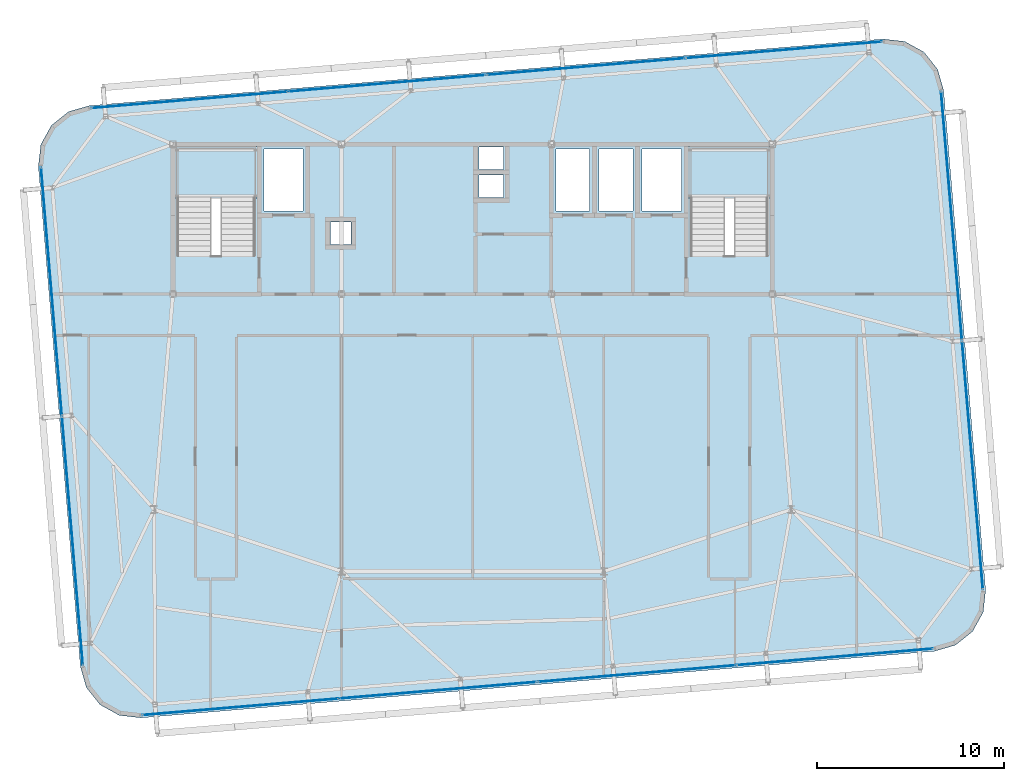
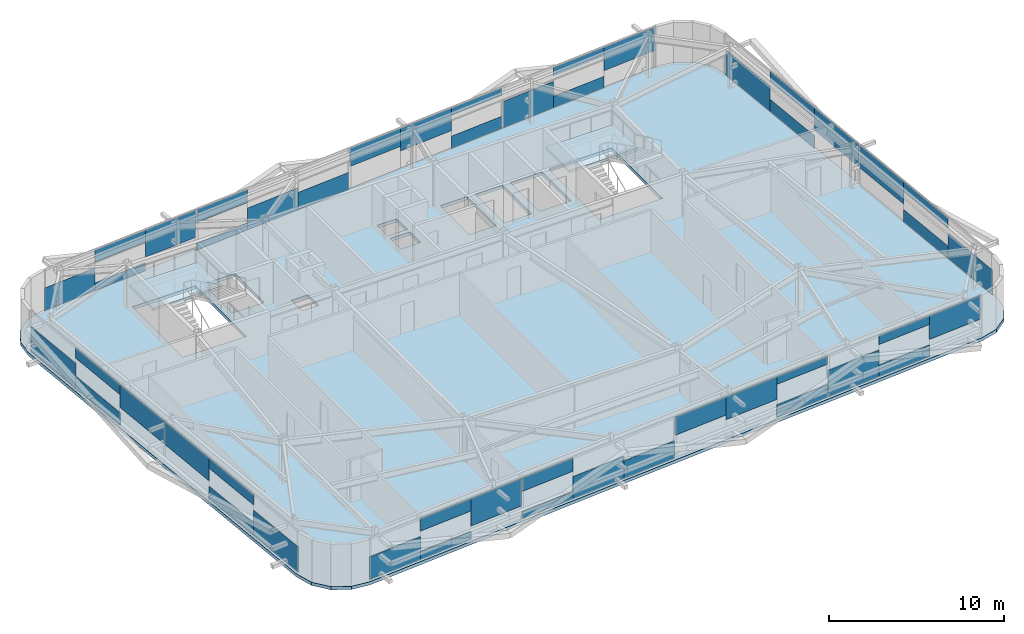
# One storey, part 26 of 39: 48 plates, 3 slabs, 6 elements without a shape of their own.
"""IFC4 building model written with IfcOpenShell, lengths in metres."""

from ifc_helpers import new_model, si_unit, direction, frame, origin, origin_2d, place, context, subcontext, project, spatial, polyline, rectangle, outline, extrude, source, transform, mapped, material, layer, layer_set, type_object, element, aggregate, save


model = new_model("IFC4")

# Units and contexts
model_context = context("Model", 3, precision=1e-05, world=origin(), true_north=direction((0.0, 1.0)))
body_context = subcontext(model_context, "Body", "Model", "MODEL_VIEW")
ifc_project = project(units=[si_unit("LENGTHUNIT", "METRE"), si_unit("AREAUNIT", "SQUARE_METRE"), si_unit("VOLUMEUNIT", "CUBIC_METRE"), si_unit("PLANEANGLEUNIT", "RADIAN"), si_unit("MASSUNIT", "GRAM", prefix="KILO")], contexts=[model_context])

# Site, building, storey
site_placement = place(None, origin())
site = spatial("IfcSite", under=ifc_project, at=site_placement, CompositionType="ELEMENT")
building_placement = place(site_placement, origin())
building = spatial("IfcBuilding", under=site, at=building_placement, Name="Taldren Reach Tower", CompositionType="ELEMENT")
storey_placement = place(building_placement, frame((0.0, 0.0, 175.699951171875)))
storey = spatial("IfcBuildingStorey", under=building, at=storey_placement, Name="L53", CompositionType="ELEMENT", Elevation=175.699951171875)

# Slab
ifc_material_1 = material(Name="Concrete N40 (40 MPa)", Category="concrete")
ifc_layer_1 = layer(ifc_material_1, 0.219970703125)
ifc_layer_set_1 = layer_set([ifc_layer_1], Name="Concrete N40 (40 MPa)")
slab_type_1 = type_object("IfcSlabType", Name="SL-FLR-220", PredefinedType="FLOOR", material=ifc_layer_set_1)
slab_1_placement = place(storey_placement, frame((0.0, 0.0, -0.219970703125)))
element("IfcSlab", 1, at=slab_1_placement, inside=storey, type_object=slab_type_1, Name="Suspended floor slab L53", PredefinedType="FLOOR", context=body_context, shape_type="SweptSolid", body=[
    extrude(outline(polyline([(59.647705078125, 4.935791015625), (60.772705078125, 5.25927734375), (61.688232421875, 5.98876953125), (62.254638671875, 7.012939453125), (62.38623046875, 8.17626953125), (60.1435546875, 34.882080078125), (59.820068359375, 36.007080078125), (59.090576171875, 36.922607421875), (58.06640625, 37.4892578125), (56.903076171875, 37.62060546875), (14.55224609375, 34.064208984375), (13.42724609375, 33.74072265625), (12.511962890625, 33.01123046875), (11.9453125, 31.987060546875), (11.813720703125, 30.82373046875), (14.056396484375, 4.117919921875), (14.3798828125, 2.992919921875), (15.109375, 2.077392578125), (16.1337890625, 1.5107421875), (17.296875, 1.37939453125), (59.647705078125, 4.935791015625)]), holes=[polyline([(19.219970703125, 26.050048828125), (23.3798828125, 26.050048828125), (23.3798828125, 31.820068359375), (19.219970703125, 31.820068359375), (19.219970703125, 26.050048828125)]), polyline([(46.6201171875, 26.050048828125), (50.780029296875, 26.050048828125), (50.780029296875, 31.820068359375), (46.6201171875, 31.820068359375), (46.6201171875, 26.050048828125)]), polyline([(23.85009765625, 28.449951171875), (25.949951171875, 28.449951171875), (25.949951171875, 31.75), (23.85009765625, 31.75), (23.85009765625, 28.449951171875)]), polyline([(44.050048828125, 28.449951171875), (46.14990234375, 28.449951171875), (46.14990234375, 31.75), (44.050048828125, 31.75), (44.050048828125, 28.449951171875)]), polyline([(39.449951171875, 28.449951171875), (41.25, 28.449951171875), (41.25, 31.75), (39.449951171875, 31.75), (39.449951171875, 28.449951171875)]), polyline([(41.75, 28.449951171875), (43.550048828125, 28.449951171875), (43.550048828125, 31.75), (41.75, 31.75), (41.75, 28.449951171875)]), polyline([(35.35009765625, 30.64990234375), (36.64990234375, 30.64990234375), (36.64990234375, 31.85009765625), (35.35009765625, 31.85009765625), (35.35009765625, 30.64990234375)]), polyline([(35.35009765625, 29.14990234375), (36.64990234375, 29.14990234375), (36.64990234375, 30.35009765625), (35.35009765625, 30.35009765625), (35.35009765625, 29.14990234375)]), polyline([(27.39990234375, 26.64990234375), (28.5, 26.64990234375), (28.5, 27.85009765625), (27.39990234375, 27.85009765625), (27.39990234375, 26.64990234375)])]), origin(), (0.0, 0.0, 1.0), 0.219970703125),
])

# Stair, slab
ifc_material_2 = material(Name="Concrete S50 (50 MPa)", Category="concrete")
stair_type = type_object("IfcStairType", Name="ST-HT-315", PredefinedType="HALF_TURN_STAIR", material=ifc_material_2)
stair_1_placement = place(storey_placement, origin())
stair_1 = element("IfcStair", 2, at=stair_1_placement, inside=storey, type_object=stair_type, Name="Fire-isolated exit stair ST1 L53", PredefinedType="HALF_TURN_STAIR")
ifc_layer_2 = layer(ifc_material_2, 0.179931640625)
ifc_layer_set_2 = layer_set([ifc_layer_2], Name="Concrete S50 (50 MPa)")
slab_type_2 = type_object("IfcSlabType", Name="SL-LAND-180", PredefinedType="LANDING", material=ifc_layer_set_2)
slab_2_placement = place(storey_placement, frame((0.0, 0.0, 1.39501953125)))
slab_2 = element("IfcSlab", 3, at=slab_2_placement, type_object=slab_type_2, Name="ST1 landing 1", PredefinedType="LANDING", context=body_context, shape_type="SweptSolid", body=[
    extrude(outline(polyline([(19.0400390625, 29.135009765625), (23.56005859375, 29.135009765625), (23.56005859375, 31.8701171875), (19.0400390625, 31.8701171875), (19.0400390625, 29.135009765625)])), origin(), (0.0, 0.0, 1.0), 0.179931640625),
])
aggregate(stair_1, [slab_2])

stair_2_placement = place(storey_placement, origin())
stair_2 = element("IfcStair", 4, at=stair_2_placement, inside=storey, type_object=stair_type, Name="Fire-isolated exit stair ST2 L53", PredefinedType="HALF_TURN_STAIR")
slab_3_placement = place(storey_placement, frame((0.0, 0.0, 1.39501953125)))
slab_3 = element("IfcSlab", 5, at=slab_3_placement, type_object=slab_type_2, Name="ST2 landing 1", PredefinedType="LANDING", context=body_context, shape_type="SweptSolid", body=[
    extrude(outline(polyline([(46.43994140625, 29.135009765625), (50.9599609375, 29.135009765625), (50.9599609375, 31.8701171875), (46.43994140625, 31.8701171875), (46.43994140625, 29.135009765625)])), origin(), (0.0, 0.0, 1.0), 0.179931640625),
])
aggregate(stair_2, [slab_3])

# Curtain wall, plate
ifc_material_3 = material(Name="Aluminium and Low-E Glass Unitised System", Category="aluminium")
ifc_layer_3 = layer(ifc_material_3, 0.159912109375)
ifc_layer_set_3 = layer_set([ifc_layer_3], Name="Aluminium and Low-E Glass Unitised System")
curtain_wall_type = type_object("IfcCurtainWallType", Name="CW-SYS-5", PredefinedType="NOTDEFINED", material=ifc_layer_set_3)
curtain_wall_1_placement = place(storey_placement, origin())
curtain_wall_1 = element("IfcCurtainWall", 6, at=curtain_wall_1_placement, inside=storey, type_object=curtain_wall_type, Name="Unitised curtain wall CW-L53-S", PredefinedType="NOTDEFINED")
ifc_material_4 = material(Name="Acoustic Triple-Laminated IGU", Category="glass")
ifc_layer_4 = layer(ifc_material_4, 0.035888671875)
ifc_layer_set_4 = layer_set([ifc_layer_4], Name="Acoustic Triple-Laminated IGU")
plate_type = type_object("IfcPlateType", Name="CW-PNL-IGU36", PredefinedType="CURTAIN_PANEL", material=ifc_layer_set_4)
shared_shape_1 = source(origin(), body_context, "Body", "SweptSolid", [
    extrude(rectangle(XDim=3.506591796875, YDim=0.035888671875, at=origin_2d()), origin(), (0.0, 0.0, 1.0), 1.63232421875),
])
plate_1_placement = place(storey_placement, frame((57.819091796875, 4.922607421875, 1.23779296875), z_axis=(0.0, 0.0, 1.0), x_axis=(0.996492854922, 0.083677894865, 0.0)))
plate_1 = element("IfcPlate", 7, at=plate_1_placement, type_object=plate_type, Name="CW-5 panel 4.1 part 4", PredefinedType="CURTAIN_PANEL", context=body_context, shape_type="MappedRepresentation", body=[
    mapped(shared_shape_1, transform((0.0, 0.0, 0.0), scale=1.0)),
])

curtain_wall_2_placement = place(storey_placement, origin())
curtain_wall_2 = element("IfcCurtainWall", 8, at=curtain_wall_2_placement, inside=storey, type_object=curtain_wall_type, Name="Unitised curtain wall CW-L53-N", PredefinedType="NOTDEFINED")
plate_2_placement = place(storey_placement, frame((55.097900390625, 37.32861328125, 1.23779296875), z_axis=(0.0, 0.0, 1.0), x_axis=(-0.99649285657, -0.083677875247, 0.0)))
plate_2 = element("IfcPlate", 9, at=plate_2_placement, type_object=plate_type, Name="CW-5 panel 1.1 part 1", PredefinedType="CURTAIN_PANEL", context=body_context, shape_type="MappedRepresentation", body=[
    mapped(shared_shape_1, transform((0.0, 0.0, 0.0), scale=1.0)),
])

# Plate
shared_shape_2 = source(origin(), body_context, "Body", "SweptSolid", [
    extrude(rectangle(XDim=3.506591796875, YDim=0.035888671875, at=origin_2d()), origin(), (0.0, 0.0, 1.0), 0.7919921875),
])
plate_3_placement = place(storey_placement, frame((54.32470703125, 4.629150390625, 0.06005859375), z_axis=(0.0, 0.0, 1.0), x_axis=(0.996492854922, 0.083677894865, 0.0)))
plate_3 = element("IfcPlate", 10, at=plate_3_placement, type_object=plate_type, Name="CW-5 panel 4.1 part 2", PredefinedType="CURTAIN_PANEL", context=body_context, shape_type="MappedRepresentation", body=[
    mapped(shared_shape_2, transform((0.0, 0.0, 0.0), scale=1.0)),
])

plate_4_placement = place(storey_placement, frame((51.603515625, 37.03515625, 0.06005859375), z_axis=(0.0, 0.0, 1.0), x_axis=(-0.99649285657, -0.083677875247, 0.0)))
plate_4 = element("IfcPlate", 11, at=plate_4_placement, type_object=plate_type, Name="CW-5 panel 1.1 part 2", PredefinedType="CURTAIN_PANEL", context=body_context, shape_type="MappedRepresentation", body=[
    mapped(shared_shape_2, transform((0.0, 0.0, 0.0), scale=1.0)),
])

shared_shape_3 = source(origin(), body_context, "Body", "SweptSolid", [
    extrude(rectangle(XDim=3.506591796875, YDim=0.035888671875, at=origin_2d()), origin(), (0.0, 0.0, 1.0), 0.590576171875),
])
plate_5_placement = place(storey_placement, frame((54.32470703125, 4.629150390625, 2.279296875), z_axis=(0.0, 0.0, 1.0), x_axis=(0.996492854922, 0.083677894865, 0.0)))
plate_5 = element("IfcPlate", 12, at=plate_5_placement, type_object=plate_type, Name="CW-5 panel 4.1 part 3", PredefinedType="CURTAIN_PANEL", context=body_context, shape_type="MappedRepresentation", body=[
    mapped(shared_shape_3, transform((0.0, 0.0, 0.0), scale=1.0)),
])

plate_6_placement = place(storey_placement, frame((51.603515625, 37.03515625, 2.279296875), z_axis=(0.0, 0.0, 1.0), x_axis=(-0.99649285657, -0.083677875247, 0.0)))
plate_6 = element("IfcPlate", 13, at=plate_6_placement, type_object=plate_type, Name="CW-5 panel 1.1 part 3", PredefinedType="CURTAIN_PANEL", context=body_context, shape_type="MappedRepresentation", body=[
    mapped(shared_shape_3, transform((0.0, 0.0, 0.0), scale=1.0)),
])

shared_shape_4 = source(origin(), body_context, "Body", "SweptSolid", [
    extrude(rectangle(XDim=3.506591796875, YDim=0.035888671875, at=origin_2d()), origin(), (0.0, 0.0, 1.0), 1.833740234375),
])
plate_7_placement = place(storey_placement, frame((50.830322265625, 4.335693359375, 0.06005859375), z_axis=(0.0, 0.0, 1.0), x_axis=(0.996492854922, 0.083677894865, 0.0)))
plate_7 = element("IfcPlate", 14, at=plate_7_placement, type_object=plate_type, Name="CW-5 panel 4.1 part 1", PredefinedType="CURTAIN_PANEL", context=body_context, shape_type="MappedRepresentation", body=[
    mapped(shared_shape_4, transform((0.0, 0.0, 0.0), scale=1.0)),
])

plate_8_placement = place(storey_placement, frame((48.109130859375, 36.74169921875, 0.06005859375), z_axis=(0.0, 0.0, 1.0), x_axis=(-0.99649285657, -0.083677875247, 0.0)))
plate_8 = element("IfcPlate", 15, at=plate_8_placement, type_object=plate_type, Name="CW-5 panel 1.1 part 4", PredefinedType="CURTAIN_PANEL", context=body_context, shape_type="MappedRepresentation", body=[
    mapped(shared_shape_4, transform((0.0, 0.0, 0.0), scale=1.0)),
])

shared_shape_5 = source(origin(), body_context, "Body", "SweptSolid", [
    extrude(rectangle(XDim=3.518310546875, YDim=0.035888671875, at=origin_2d()), origin(), (0.0, 0.0, 1.0), 0.85302734375),
])
plate_9_placement = place(storey_placement, frame((47.260498046875, 4.035888671875, 0.06005859375), z_axis=(0.0, 0.0, 1.0), x_axis=(0.996492854922, 0.083677894865, 0.0)))
plate_9 = element("IfcPlate", 16, at=plate_9_placement, type_object=plate_type, Name="CW-5 panel 3.1 part 3", PredefinedType="CURTAIN_PANEL", context=body_context, shape_type="MappedRepresentation", body=[
    mapped(shared_shape_5, transform((0.0, 0.0, 0.0), scale=1.0)),
])

plate_10_placement = place(storey_placement, frame((44.539306640625, 36.44189453125, 0.06005859375), z_axis=(0.0, 0.0, 1.0), x_axis=(-0.99649285657, -0.083677875247, 0.0)))
plate_10 = element("IfcPlate", 17, at=plate_10_placement, type_object=plate_type, Name="CW-5 panel 2.1 part 1", PredefinedType="CURTAIN_PANEL", context=body_context, shape_type="MappedRepresentation", body=[
    mapped(shared_shape_5, transform((0.0, 0.0, 0.0), scale=1.0)),
])

shared_shape_6 = source(origin(), body_context, "Body", "SweptSolid", [
    extrude(rectangle(XDim=3.518310546875, YDim=0.035888671875, at=origin_2d()), origin(), (0.0, 0.0, 1.0), 0.5263671875),
])
plate_11_placement = place(storey_placement, frame((47.260498046875, 4.035888671875, 2.34375), z_axis=(0.0, 0.0, 1.0), x_axis=(0.996492854922, 0.083677894865, 0.0)))
plate_11 = element("IfcPlate", 18, at=plate_11_placement, type_object=plate_type, Name="CW-5 panel 3.1 part 4", PredefinedType="CURTAIN_PANEL", context=body_context, shape_type="MappedRepresentation", body=[
    mapped(shared_shape_6, transform((0.0, 0.0, 0.0), scale=1.0)),
])

plate_12_placement = place(storey_placement, frame((44.539306640625, 36.44189453125, 2.34375), z_axis=(0.0, 0.0, 1.0), x_axis=(-0.99649285657, -0.083677875247, 0.0)))
plate_12 = element("IfcPlate", 19, at=plate_12_placement, type_object=plate_type, Name="CW-5 panel 2.1 part 2", PredefinedType="CURTAIN_PANEL", context=body_context, shape_type="MappedRepresentation", body=[
    mapped(shared_shape_6, transform((0.0, 0.0, 0.0), scale=1.0)),
])

shared_shape_7 = source(origin(), body_context, "Body", "SweptSolid", [
    extrude(rectangle(XDim=3.518310546875, YDim=0.035888671875, at=origin_2d()), origin(), (0.0, 0.0, 1.0), 1.571533203125),
])
plate_13_placement = place(storey_placement, frame((43.75439453125, 3.741455078125, 1.29833984375), z_axis=(0.0, 0.0, 1.0), x_axis=(0.996492854922, 0.083677894865, 0.0)))
plate_13 = element("IfcPlate", 20, at=plate_13_placement, type_object=plate_type, Name="CW-5 panel 3.1 part 2", PredefinedType="CURTAIN_PANEL", context=body_context, shape_type="MappedRepresentation", body=[
    mapped(shared_shape_7, transform((0.0, 0.0, 0.0), scale=1.0)),
])

plate_14_placement = place(storey_placement, frame((41.033203125, 36.1474609375, 1.29833984375), z_axis=(0.0, 0.0, 1.0), x_axis=(-0.99649285657, -0.083677875247, 0.0)))
plate_14 = element("IfcPlate", 21, at=plate_14_placement, type_object=plate_type, Name="CW-5 panel 2.1 part 3", PredefinedType="CURTAIN_PANEL", context=body_context, shape_type="MappedRepresentation", body=[
    mapped(shared_shape_7, transform((0.0, 0.0, 0.0), scale=1.0)),
])

shared_shape_8 = source(origin(), body_context, "Body", "SweptSolid", [
    extrude(rectangle(XDim=3.518310546875, YDim=0.035888671875, at=origin_2d()), origin(), (0.0, 0.0, 1.0), 1.252685546875),
])
plate_15_placement = place(storey_placement, frame((40.24853515625, 3.447265625, 1.6171875), z_axis=(0.0, 0.0, 1.0), x_axis=(0.996492854922, 0.083677894865, 0.0)))
plate_15 = element("IfcPlate", 22, at=plate_15_placement, type_object=plate_type, Name="CW-5 panel 3.1 part 1", PredefinedType="CURTAIN_PANEL", context=body_context, shape_type="MappedRepresentation", body=[
    mapped(shared_shape_8, transform((0.0, 0.0, 0.0), scale=1.0)),
])

plate_16_placement = place(storey_placement, frame((37.52734375, 35.85302734375, 1.6171875), z_axis=(0.0, 0.0, 1.0), x_axis=(-0.99649285657, -0.083677875247, 0.0)))
plate_16 = element("IfcPlate", 23, at=plate_16_placement, type_object=plate_type, Name="CW-5 panel 2.1 part 4", PredefinedType="CURTAIN_PANEL", context=body_context, shape_type="MappedRepresentation", body=[
    mapped(shared_shape_8, transform((0.0, 0.0, 0.0), scale=1.0)),
])

shared_shape_9 = source(origin(), body_context, "Body", "SweptSolid", [
    extrude(rectangle(XDim=3.518310546875, YDim=0.035888671875, at=origin_2d()), origin(), (0.0, 0.0, 1.0), 1.192626953125),
])
plate_17_placement = place(storey_placement, frame((36.672607421875, 3.14697265625, 0.06005859375), z_axis=(0.0, 0.0, 1.0), x_axis=(0.996492854922, 0.083677894865, 0.0)))
plate_17 = element("IfcPlate", 24, at=plate_17_placement, type_object=plate_type, Name="CW-5 panel 2.1 part 4", PredefinedType="CURTAIN_PANEL", context=body_context, shape_type="MappedRepresentation", body=[
    mapped(shared_shape_9, transform((0.0, 0.0, 0.0), scale=1.0)),
])

plate_18_placement = place(storey_placement, frame((33.951416015625, 35.552734375, 0.06005859375), z_axis=(0.0, 0.0, 1.0), x_axis=(-0.99649285657, -0.083677875247, 0.0)))
plate_18 = element("IfcPlate", 25, at=plate_18_placement, type_object=plate_type, Name="CW-5 panel 3.1 part 1", PredefinedType="CURTAIN_PANEL", context=body_context, shape_type="MappedRepresentation", body=[
    mapped(shared_shape_9, transform((0.0, 0.0, 0.0), scale=1.0)),
])

shared_shape_10 = source(origin(), body_context, "Body", "SweptSolid", [
    extrude(rectangle(XDim=3.518310546875, YDim=0.035888671875, at=origin_2d()), origin(), (0.0, 0.0, 1.0), 1.511474609375),
])
plate_19_placement = place(storey_placement, frame((33.166748046875, 2.8525390625, 0.06005859375), z_axis=(0.0, 0.0, 1.0), x_axis=(0.996492854922, 0.083677894865, 0.0)))
plate_19 = element("IfcPlate", 26, at=plate_19_placement, type_object=plate_type, Name="CW-5 panel 2.1 part 3", PredefinedType="CURTAIN_PANEL", context=body_context, shape_type="MappedRepresentation", body=[
    mapped(shared_shape_10, transform((0.0, 0.0, 0.0), scale=1.0)),
])

plate_20_placement = place(storey_placement, frame((30.445556640625, 35.258544921875, 0.06005859375), z_axis=(0.0, 0.0, 1.0), x_axis=(-0.99649285657, -0.083677875247, 0.0)))
plate_20 = element("IfcPlate", 27, at=plate_20_placement, type_object=plate_type, Name="CW-5 panel 3.1 part 2", PredefinedType="CURTAIN_PANEL", context=body_context, shape_type="MappedRepresentation", body=[
    mapped(shared_shape_10, transform((0.0, 0.0, 0.0), scale=1.0)),
])

shared_shape_11 = source(origin(), body_context, "Body", "SweptSolid", [
    extrude(rectangle(XDim=3.518310546875, YDim=0.035888671875, at=origin_2d()), origin(), (0.0, 0.0, 1.0), 0.46630859375),
])
plate_21_placement = place(storey_placement, frame((29.66064453125, 2.55810546875, 0.06005859375), z_axis=(0.0, 0.0, 1.0), x_axis=(0.996492854922, 0.083677894865, 0.0)))
plate_21 = element("IfcPlate", 28, at=plate_21_placement, type_object=plate_type, Name="CW-5 panel 2.1 part 1", PredefinedType="CURTAIN_PANEL", context=body_context, shape_type="MappedRepresentation", body=[
    mapped(shared_shape_11, transform((0.0, 0.0, 0.0), scale=1.0)),
])

plate_22_placement = place(storey_placement, frame((26.939453125, 34.964111328125, 0.06005859375), z_axis=(0.0, 0.0, 1.0), x_axis=(-0.99649285657, -0.083677875247, 0.0)))
plate_22 = element("IfcPlate", 29, at=plate_22_placement, type_object=plate_type, Name="CW-5 panel 3.1 part 3", PredefinedType="CURTAIN_PANEL", context=body_context, shape_type="MappedRepresentation", body=[
    mapped(shared_shape_11, transform((0.0, 0.0, 0.0), scale=1.0)),
])

shared_shape_12 = source(origin(), body_context, "Body", "SweptSolid", [
    extrude(rectangle(XDim=3.518310546875, YDim=0.035888671875, at=origin_2d()), origin(), (0.0, 0.0, 1.0), 0.9130859375),
])
plate_23_placement = place(storey_placement, frame((29.66064453125, 2.55810546875, 1.95703125), z_axis=(0.0, 0.0, 1.0), x_axis=(0.996492854922, 0.083677894865, 0.0)))
plate_23 = element("IfcPlate", 30, at=plate_23_placement, type_object=plate_type, Name="CW-5 panel 2.1 part 2", PredefinedType="CURTAIN_PANEL", context=body_context, shape_type="MappedRepresentation", body=[
    mapped(shared_shape_12, transform((0.0, 0.0, 0.0), scale=1.0)),
])

plate_24_placement = place(storey_placement, frame((26.939453125, 34.964111328125, 1.95703125), z_axis=(0.0, 0.0, 1.0), x_axis=(-0.99649285657, -0.083677875247, 0.0)))
plate_24 = element("IfcPlate", 31, at=plate_24_placement, type_object=plate_type, Name="CW-5 panel 3.1 part 4", PredefinedType="CURTAIN_PANEL", context=body_context, shape_type="MappedRepresentation", body=[
    mapped(shared_shape_12, transform((0.0, 0.0, 0.0), scale=1.0)),
])

shared_shape_13 = source(origin(), body_context, "Body", "SweptSolid", [
    extrude(rectangle(XDim=3.506591796875, YDim=0.035888671875, at=origin_2d()), origin(), (0.0, 0.0, 1.0), 1.893798828125),
])
plate_25_placement = place(storey_placement, frame((26.0908203125, 2.25830078125, 0.97607421875), z_axis=(0.0, 0.0, 1.0), x_axis=(0.996492854922, 0.083677894865, 0.0)))
plate_25 = element("IfcPlate", 32, at=plate_25_placement, type_object=plate_type, Name="CW-5 panel 1.1 part 4", PredefinedType="CURTAIN_PANEL", context=body_context, shape_type="MappedRepresentation", body=[
    mapped(shared_shape_13, transform((0.0, 0.0, 0.0), scale=1.0)),
])

plate_26_placement = place(storey_placement, frame((23.36962890625, 34.664306640625, 0.97607421875), z_axis=(0.0, 0.0, 1.0), x_axis=(-0.99649285657, -0.083677875247, 0.0)))
plate_26 = element("IfcPlate", 33, at=plate_26_placement, type_object=plate_type, Name="CW-5 panel 4.1 part 1", PredefinedType="CURTAIN_PANEL", context=body_context, shape_type="MappedRepresentation", body=[
    mapped(shared_shape_13, transform((0.0, 0.0, 0.0), scale=1.0)),
])

shared_shape_14 = source(origin(), body_context, "Body", "SweptSolid", [
    extrude(rectangle(XDim=3.506591796875, YDim=0.035888671875, at=origin_2d()), origin(), (0.0, 0.0, 1.0), 0.53076171875),
])
plate_27_placement = place(storey_placement, frame((22.596435546875, 1.96484375, 0.06005859375), z_axis=(0.0, 0.0, 1.0), x_axis=(0.996492854922, 0.083677894865, 0.0)))
plate_27 = element("IfcPlate", 34, at=plate_27_placement, type_object=plate_type, Name="CW-5 panel 1.1 part 2", PredefinedType="CURTAIN_PANEL", context=body_context, shape_type="MappedRepresentation", body=[
    mapped(shared_shape_14, transform((0.0, 0.0, 0.0), scale=1.0)),
])

plate_28_placement = place(storey_placement, frame((19.875244140625, 34.370849609375, 0.06005859375), z_axis=(0.0, 0.0, 1.0), x_axis=(-0.99649285657, -0.083677875247, 0.0)))
plate_28 = element("IfcPlate", 35, at=plate_28_placement, type_object=plate_type, Name="CW-5 panel 4.1 part 2", PredefinedType="CURTAIN_PANEL", context=body_context, shape_type="MappedRepresentation", body=[
    mapped(shared_shape_14, transform((0.0, 0.0, 0.0), scale=1.0)),
])

shared_shape_15 = source(origin(), body_context, "Body", "SweptSolid", [
    extrude(rectangle(XDim=3.506591796875, YDim=0.035888671875, at=origin_2d()), origin(), (0.0, 0.0, 1.0), 0.85205078125),
])
plate_29_placement = place(storey_placement, frame((22.596435546875, 1.96484375, 2.01806640625), z_axis=(0.0, 0.0, 1.0), x_axis=(0.996492854922, 0.083677894865, 0.0)))
plate_29 = element("IfcPlate", 36, at=plate_29_placement, type_object=plate_type, Name="CW-5 panel 1.1 part 3", PredefinedType="CURTAIN_PANEL", context=body_context, shape_type="MappedRepresentation", body=[
    mapped(shared_shape_15, transform((0.0, 0.0, 0.0), scale=1.0)),
])

plate_30_placement = place(storey_placement, frame((19.875244140625, 34.370849609375, 2.01806640625), z_axis=(0.0, 0.0, 1.0), x_axis=(-0.99649285657, -0.083677875247, 0.0)))
plate_30 = element("IfcPlate", 37, at=plate_30_placement, type_object=plate_type, Name="CW-5 panel 4.1 part 3", PredefinedType="CURTAIN_PANEL", context=body_context, shape_type="MappedRepresentation", body=[
    mapped(shared_shape_15, transform((0.0, 0.0, 0.0), scale=1.0)),
])

shared_shape_16 = source(origin(), body_context, "Body", "SweptSolid", [
    extrude(rectangle(XDim=3.506591796875, YDim=0.035888671875, at=origin_2d()), origin(), (0.0, 0.0, 1.0), 1.572265625),
])
plate_31_placement = place(storey_placement, frame((19.10205078125, 1.67138671875, 0.06005859375), z_axis=(0.0, 0.0, 1.0), x_axis=(0.996492854922, 0.083677894865, 0.0)))
plate_31 = element("IfcPlate", 38, at=plate_31_placement, type_object=plate_type, Name="CW-5 panel 1.1 part 1", PredefinedType="CURTAIN_PANEL", context=body_context, shape_type="MappedRepresentation", body=[
    mapped(shared_shape_16, transform((0.0, 0.0, 0.0), scale=1.0)),
])

aggregate(curtain_wall_1, [plate_31, plate_27, plate_29, plate_25, plate_21, plate_23, plate_19, plate_17, plate_15, plate_13, plate_9, plate_11, plate_7, plate_3, plate_5, plate_1])

plate_32_placement = place(storey_placement, frame((16.380859375, 34.077392578125, 0.06005859375), z_axis=(0.0, 0.0, 1.0), x_axis=(-0.99649285657, -0.083677875247, 0.0)))
plate_32 = element("IfcPlate", 39, at=plate_32_placement, type_object=plate_type, Name="CW-5 panel 4.1 part 4", PredefinedType="CURTAIN_PANEL", context=body_context, shape_type="MappedRepresentation", body=[
    mapped(shared_shape_16, transform((0.0, 0.0, 0.0), scale=1.0)),
])

aggregate(curtain_wall_2, [plate_2, plate_4, plate_6, plate_8, plate_10, plate_12, plate_14, plate_16, plate_18, plate_20, plate_22, plate_24, plate_26, plate_28, plate_30, plate_32])

# Curtain wall, plates
curtain_wall_3_placement = place(storey_placement, origin())
curtain_wall_3 = element("IfcCurtainWall", 40, at=curtain_wall_3_placement, inside=storey, type_object=curtain_wall_type, Name="Unitised curtain wall CW-L53-W", PredefinedType="NOTDEFINED")
shared_shape_17 = source(origin(), body_context, "Body", "SweptSolid", [
    extrude(rectangle(XDim=4.431640625, YDim=0.035888671875, at=origin_2d()), origin(), (0.0, 0.0, 1.0), 1.743896484375),
])
plate_33_placement = place(storey_placement, frame((12.14453125, 28.5576171875, 0.06005859375), z_axis=(0.0, 0.0, 1.0), x_axis=(0.083677979808, -0.996492847789, 0.0)))
plate_33 = element("IfcPlate", 41, at=plate_33_placement, type_object=plate_type, Name="CW-5 panel 1.1 part 1", PredefinedType="CURTAIN_PANEL", context=body_context, shape_type="MappedRepresentation", body=[
    mapped(shared_shape_17, transform((0.0, 0.0, 0.0), scale=1.0)),
])
plate_34_placement = place(storey_placement, frame((14.004638671875, 6.4072265625, 0.06005859375), z_axis=(0.0, 0.0, 1.0), x_axis=(0.083677979808, -0.996492847789, 0.0)))
plate_34 = element("IfcPlate", 42, at=plate_34_placement, type_object=plate_type, Name="CW-5 panel 2.1 part 4", PredefinedType="CURTAIN_PANEL", context=body_context, shape_type="MappedRepresentation", body=[
    mapped(shared_shape_17, transform((0.0, 0.0, 0.0), scale=1.0)),
])

curtain_wall_4_placement = place(storey_placement, origin())
curtain_wall_4 = element("IfcCurtainWall", 43, at=curtain_wall_4_placement, inside=storey, type_object=curtain_wall_type, Name="Unitised curtain wall CW-L53-E", PredefinedType="NOTDEFINED")
plate_35_placement = place(storey_placement, frame((62.055419921875, 10.4423828125, 0.06005859375), z_axis=(0.0, 0.0, 1.0), x_axis=(-0.083677979808, 0.996492847789, 0.0)))
plate_35 = element("IfcPlate", 44, at=plate_35_placement, type_object=plate_type, Name="CW-5 panel 1.1 part 1", PredefinedType="CURTAIN_PANEL", context=body_context, shape_type="MappedRepresentation", body=[
    mapped(shared_shape_17, transform((0.0, 0.0, 0.0), scale=1.0)),
])
plate_36_placement = place(storey_placement, frame((60.1953125, 32.5927734375, 0.06005859375), z_axis=(0.0, 0.0, 1.0), x_axis=(-0.083677979808, 0.996492847789, 0.0)))
plate_36 = element("IfcPlate", 45, at=plate_36_placement, type_object=plate_type, Name="CW-5 panel 2.1 part 4", PredefinedType="CURTAIN_PANEL", context=body_context, shape_type="MappedRepresentation", body=[
    mapped(shared_shape_17, transform((0.0, 0.0, 0.0), scale=1.0)),
])

# Plate
shared_shape_18 = source(origin(), body_context, "Body", "SweptSolid", [
    extrude(rectangle(XDim=4.431640625, YDim=0.035888671875, at=origin_2d()), origin(), (0.0, 0.0, 1.0), 0.861083984375),
])
plate_37_placement = place(storey_placement, frame((12.515380859375, 24.1416015625, 0.06005859375), z_axis=(0.0, 0.0, 1.0), x_axis=(0.083677979808, -0.996492847789, 0.0)))
plate_37 = element("IfcPlate", 46, at=plate_37_placement, type_object=plate_type, Name="CW-5 panel 1.1 part 2", PredefinedType="CURTAIN_PANEL", context=body_context, shape_type="MappedRepresentation", body=[
    mapped(shared_shape_18, transform((0.0, 0.0, 0.0), scale=1.0)),
])

plate_38_placement = place(storey_placement, frame((13.6337890625, 10.823486328125, 0.06005859375), z_axis=(0.0, 0.0, 1.0), x_axis=(0.083677979808, -0.996492847789, 0.0)))
plate_38 = element("IfcPlate", 47, at=plate_38_placement, type_object=plate_type, Name="CW-5 panel 2.1 part 2", PredefinedType="CURTAIN_PANEL", context=body_context, shape_type="MappedRepresentation", body=[
    mapped(shared_shape_18, transform((0.0, 0.0, 0.0), scale=1.0)),
])

plate_39_placement = place(storey_placement, frame((61.6845703125, 14.8583984375, 0.06005859375), z_axis=(0.0, 0.0, 1.0), x_axis=(-0.083677979808, 0.996492847789, 0.0)))
plate_39 = element("IfcPlate", 48, at=plate_39_placement, type_object=plate_type, Name="CW-5 panel 1.1 part 2", PredefinedType="CURTAIN_PANEL", context=body_context, shape_type="MappedRepresentation", body=[
    mapped(shared_shape_18, transform((0.0, 0.0, 0.0), scale=1.0)),
])

plate_40_placement = place(storey_placement, frame((60.566162109375, 28.176513671875, 0.06005859375), z_axis=(0.0, 0.0, 1.0), x_axis=(-0.083677979808, 0.996492847789, 0.0)))
plate_40 = element("IfcPlate", 49, at=plate_40_placement, type_object=plate_type, Name="CW-5 panel 2.1 part 2", PredefinedType="CURTAIN_PANEL", context=body_context, shape_type="MappedRepresentation", body=[
    mapped(shared_shape_18, transform((0.0, 0.0, 0.0), scale=1.0)),
])

shared_shape_19 = source(origin(), body_context, "Body", "SweptSolid", [
    extrude(rectangle(XDim=4.431640625, YDim=0.035888671875, at=origin_2d()), origin(), (0.0, 0.0, 1.0), 0.689208984375),
])
plate_41_placement = place(storey_placement, frame((12.515380859375, 24.1416015625, 2.1806640625), z_axis=(0.0, 0.0, 1.0), x_axis=(0.083677979808, -0.996492847789, 0.0)))
plate_41 = element("IfcPlate", 50, at=plate_41_placement, type_object=plate_type, Name="CW-5 panel 1.1 part 3", PredefinedType="CURTAIN_PANEL", context=body_context, shape_type="MappedRepresentation", body=[
    mapped(shared_shape_19, transform((0.0, 0.0, 0.0), scale=1.0)),
])

plate_42_placement = place(storey_placement, frame((13.6337890625, 10.823486328125, 2.1806640625), z_axis=(0.0, 0.0, 1.0), x_axis=(0.083677979808, -0.996492847789, 0.0)))
plate_42 = element("IfcPlate", 51, at=plate_42_placement, type_object=plate_type, Name="CW-5 panel 2.1 part 3", PredefinedType="CURTAIN_PANEL", context=body_context, shape_type="MappedRepresentation", body=[
    mapped(shared_shape_19, transform((0.0, 0.0, 0.0), scale=1.0)),
])

plate_43_placement = place(storey_placement, frame((61.6845703125, 14.8583984375, 2.1806640625), z_axis=(0.0, 0.0, 1.0), x_axis=(-0.083677979808, 0.996492847789, 0.0)))
plate_43 = element("IfcPlate", 52, at=plate_43_placement, type_object=plate_type, Name="CW-5 panel 1.1 part 3", PredefinedType="CURTAIN_PANEL", context=body_context, shape_type="MappedRepresentation", body=[
    mapped(shared_shape_19, transform((0.0, 0.0, 0.0), scale=1.0)),
])

plate_44_placement = place(storey_placement, frame((60.566162109375, 28.176513671875, 2.1806640625), z_axis=(0.0, 0.0, 1.0), x_axis=(-0.083677979808, 0.996492847789, 0.0)))
plate_44 = element("IfcPlate", 53, at=plate_44_placement, type_object=plate_type, Name="CW-5 panel 2.1 part 3", PredefinedType="CURTAIN_PANEL", context=body_context, shape_type="MappedRepresentation", body=[
    mapped(shared_shape_19, transform((0.0, 0.0, 0.0), scale=1.0)),
])

shared_shape_20 = source(origin(), body_context, "Body", "SweptSolid", [
    extrude(rectangle(XDim=4.431640625, YDim=0.035888671875, at=origin_2d()), origin(), (0.0, 0.0, 1.0), 1.57177734375),
])
plate_45_placement = place(storey_placement, frame((12.88623046875, 19.7255859375, 1.29833984375), z_axis=(0.0, 0.0, 1.0), x_axis=(0.083677979808, -0.996492847789, 0.0)))
plate_45 = element("IfcPlate", 54, at=plate_45_placement, type_object=plate_type, Name="CW-5 panel 1.1 part 4", PredefinedType="CURTAIN_PANEL", context=body_context, shape_type="MappedRepresentation", body=[
    mapped(shared_shape_20, transform((0.0, 0.0, 0.0), scale=1.0)),
])

plate_46_placement = place(storey_placement, frame((13.262939453125, 15.239501953125, 1.29833984375), z_axis=(0.0, 0.0, 1.0), x_axis=(0.083677979808, -0.996492847789, 0.0)))
plate_46 = element("IfcPlate", 55, at=plate_46_placement, type_object=plate_type, Name="CW-5 panel 2.1 part 1", PredefinedType="CURTAIN_PANEL", context=body_context, shape_type="MappedRepresentation", body=[
    mapped(shared_shape_20, transform((0.0, 0.0, 0.0), scale=1.0)),
])

aggregate(curtain_wall_3, [plate_33, plate_37, plate_41, plate_45, plate_46, plate_38, plate_42, plate_34])

plate_47_placement = place(storey_placement, frame((61.313720703125, 19.2744140625, 1.29833984375), z_axis=(0.0, 0.0, 1.0), x_axis=(-0.083677979808, 0.996492847789, 0.0)))
plate_47 = element("IfcPlate", 56, at=plate_47_placement, type_object=plate_type, Name="CW-5 panel 1.1 part 4", PredefinedType="CURTAIN_PANEL", context=body_context, shape_type="MappedRepresentation", body=[
    mapped(shared_shape_20, transform((0.0, 0.0, 0.0), scale=1.0)),
])

plate_48_placement = place(storey_placement, frame((60.93701171875, 23.760498046875, 1.29833984375), z_axis=(0.0, 0.0, 1.0), x_axis=(-0.083677979808, 0.996492847789, 0.0)))
plate_48 = element("IfcPlate", 57, at=plate_48_placement, type_object=plate_type, Name="CW-5 panel 2.1 part 1", PredefinedType="CURTAIN_PANEL", context=body_context, shape_type="MappedRepresentation", body=[
    mapped(shared_shape_20, transform((0.0, 0.0, 0.0), scale=1.0)),
])

aggregate(curtain_wall_4, [plate_35, plate_39, plate_43, plate_47, plate_48, plate_40, plate_44, plate_36])

save(model, "model.ifc")
